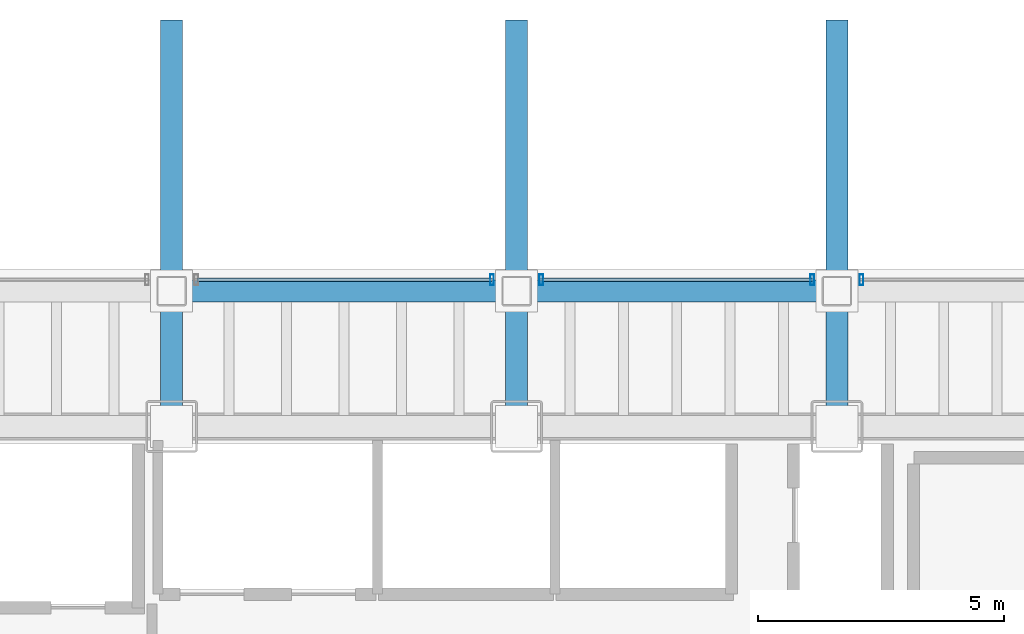
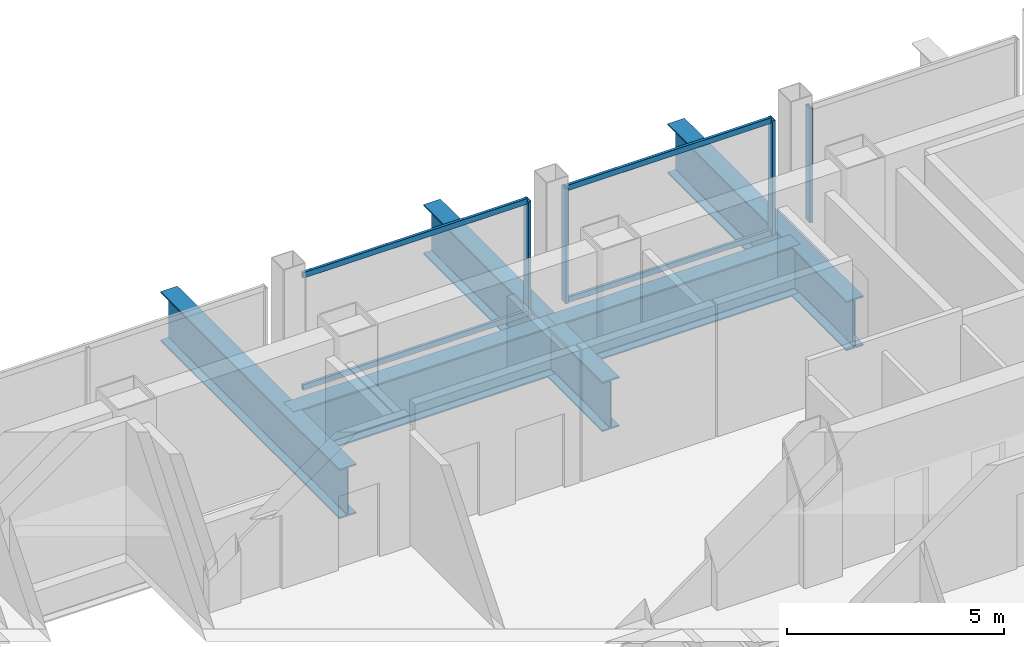
# One storey, part 15 of 21: 8 members, 5 beams, 3 elements without a shape of their own.
"""IFC4 building model written with IfcOpenShell, lengths in metres."""

from ifc_helpers import new_model, si_unit, direction, frame, origin, origin_2d, place, context, subcontext, project, spatial, hollow_rectangle, i_section, extrude, material, material_profile, profile_set, type_object, element, aggregate, save


model = new_model("IFC4")

# Units and contexts
model_context = context("Model", 3, precision=1e-05, world=origin(), true_north=direction((0.0, 1.0)))
body_context = subcontext(model_context, "Body", "Model", "MODEL_VIEW")
ifc_project = project(units=[si_unit("LENGTHUNIT", "METRE"), si_unit("AREAUNIT", "SQUARE_METRE"), si_unit("VOLUMEUNIT", "CUBIC_METRE"), si_unit("PLANEANGLEUNIT", "RADIAN"), si_unit("MASSUNIT", "GRAM", prefix="KILO")], contexts=[model_context])

# Site, building, storey
site_placement = place(None, origin())
site = spatial("IfcSite", under=ifc_project, at=site_placement, CompositionType="ELEMENT")
building_placement = place(site_placement, origin())
building = spatial("IfcBuilding", under=site, at=building_placement, Name="Noeulbin Bourse Tower", CompositionType="ELEMENT")
storey_placement = place(building_placement, frame((0.0, 0.0, 81.10009765625)))
storey = spatial("IfcBuildingStorey", under=building, at=storey_placement, Name="L20", CompositionType="ELEMENT", Elevation=81.10009765625)

# Beams
ifc_material_1 = material(Name="Steel S460", Category="steel")
ifc_material_profile_1 = material_profile(ifc_material_1, i_section(OverallWidth=0.449951171875, OverallDepth=1.39990234375, WebThickness=0.02392578125, FlangeThickness=0.0400390625, FilletRadius=0.02392578125, at=origin_2d()), Name="PG-1400x450x24x40", Category="LoadBearing")
ifc_profile_set_1 = profile_set([ifc_material_profile_1], Name="Steel S460")
beam_type = type_object("IfcBeamType", Name="BM-TRF-1400", PredefinedType="USERDEFINED", material=ifc_profile_set_1)
for number, where, z_axis, x_axis, name in (
    (1, (24.0, 38.300048828125, -0.940185546875), (0.0, 1.0, 0.0), (-1.0, 0.0, 0.0), "Tower Primary Girder NS L20-2.6"),
    (2, (31.0, 38.300048828125, -0.940185546875), (0.0, 1.0, 0.0), (-1.0, 0.0, 0.0), "Tower Primary Girder NS L20-3.6"),
    (3, (37.5, 38.300048828125, -0.940185546875), (0.0, 1.0, 0.0), (-1.0, 0.0, 0.0), "Tower Primary Girder NS L20-4.6"),
):
    element("IfcBeam", number, at=place(storey_placement, frame(where, z_axis=z_axis, x_axis=x_axis)), inside=storey, type_object=beam_type, Name=name, ObjectType="GIRDER", PredefinedType="USERDEFINED", context=body_context, shape_type="SweptSolid", body=[
        extrude(i_section(OverallWidth=0.449951171875, OverallDepth=1.39990234375, WebThickness=0.02392578125, FlangeThickness=0.0400390625, FilletRadius=0.02392578125, at=origin_2d()), origin(), (0.0, 0.0, 1.0), 8.25),
    ])
beam_1_placement = place(storey_placement, frame((24.0, 41.050048828125, -0.940185546875), z_axis=(1.0, 0.0, 0.0), x_axis=(0.0, 1.0, 0.0)))
element("IfcBeam", 4, at=beam_1_placement, inside=storey, type_object=beam_type, Name="North Spandrel L20-2", ObjectType="GIRDER", PredefinedType="USERDEFINED", context=body_context, shape_type="SweptSolid", body=[
    extrude(i_section(OverallWidth=0.449951171875, OverallDepth=1.39990234375, WebThickness=0.02392578125, FlangeThickness=0.0400390625, FilletRadius=0.02392578125, at=origin_2d()), origin(), (0.0, 0.0, 1.0), 7.0),
])
beam_2_placement = place(storey_placement, frame((31.0, 41.050048828125, -0.940185546875), z_axis=(1.0, 0.0, 0.0), x_axis=(0.0, 1.0, 0.0)))
element("IfcBeam", 5, at=beam_2_placement, inside=storey, type_object=beam_type, Name="North Spandrel L20-3", ObjectType="GIRDER", PredefinedType="USERDEFINED", context=body_context, shape_type="SweptSolid", body=[
    extrude(i_section(OverallWidth=0.449951171875, OverallDepth=1.39990234375, WebThickness=0.02392578125, FlangeThickness=0.0400390625, FilletRadius=0.02392578125, at=origin_2d()), origin(), (0.0, 0.0, 1.0), 6.5),
])

# Curtain wall, member
ifc_material_2 = material(Name="Dark Solar-Control Double Glazing", Category="glass")
curtain_wall_type = type_object("IfcCurtainWallType", Name="CW-SYS-2", PredefinedType="NOTDEFINED", material=ifc_material_2)
curtain_wall_1_placement = place(storey_placement, origin())
curtain_wall_1 = element("IfcCurtainWall", 6, at=curtain_wall_1_placement, inside=storey, type_object=curtain_wall_type, Name="Unitised Curtain Wall CW-L20-N-S3", PredefinedType="NOTDEFINED")
ifc_material_3 = material(Name="Anodised Aluminium 6063-T6", Category="aluminium")
ifc_material_profile_2 = material_profile(ifc_material_3, hollow_rectangle(XDim=0.074951171875, YDim=0.219970703125, WallThickness=0.0048828125, InnerFilletRadius=0.00244140625, OuterFilletRadius=0.0048828125, at=origin_2d()), Name="ALU-MULL-75x220x5", Category="LoadBearing")
ifc_profile_set_2 = profile_set([ifc_material_profile_2], Name="Anodised Aluminium 6063-T6")
member_type_1 = type_object("IfcMemberType", Name="CW-SYS-2-MUL", PredefinedType="MULLION", material=ifc_profile_set_2)
member_1_placement = place(storey_placement, frame((30.5, 41.280029296875, -0.02001953125), z_axis=(0.0, 0.0, 1.0), x_axis=(1.0, 0.0, 0.0)))
member_1 = element("IfcMember", 7, at=member_1_placement, type_object=member_type_1, Name="Curtain Wall Mullion CW-L20-N-S3-M01", PredefinedType="MULLION", context=body_context, shape_type="SweptSolid", body=[
    extrude(hollow_rectangle(XDim=0.074951171875, YDim=0.219970703125, WallThickness=0.0048828125, InnerFilletRadius=0.00244140625, OuterFilletRadius=0.0048828125, at=origin_2d()), origin(), (0.0, 0.0, 1.0), 3.219970703125),
])

# Curtain wall, members
curtain_wall_2_placement = place(storey_placement, origin())
curtain_wall_2 = element("IfcCurtainWall", 8, at=curtain_wall_2_placement, inside=storey, type_object=curtain_wall_type, Name="Unitised Curtain Wall CW-L20-N-S4", PredefinedType="NOTDEFINED")
member_2_placement = place(storey_placement, frame((31.5, 41.280029296875, -0.02001953125), z_axis=(0.0, 0.0, 1.0), x_axis=(1.0, 0.0, 0.0)))
member_2 = element("IfcMember", 9, at=member_2_placement, type_object=member_type_1, Name="Curtain Wall Mullion CW-L20-N-S4-M00", PredefinedType="MULLION", context=body_context, shape_type="SweptSolid", body=[
    extrude(hollow_rectangle(XDim=0.074951171875, YDim=0.219970703125, WallThickness=0.0048828125, InnerFilletRadius=0.00244140625, OuterFilletRadius=0.0048828125, at=origin_2d()), origin(), (0.0, 0.0, 1.0), 3.219970703125),
])
member_3_placement = place(storey_placement, frame((37.0, 41.280029296875, -0.02001953125), z_axis=(0.0, 0.0, 1.0), x_axis=(1.0, 0.0, 0.0)))
member_3 = element("IfcMember", 10, at=member_3_placement, type_object=member_type_1, Name="Curtain Wall Mullion CW-L20-N-S4-M01", PredefinedType="MULLION", context=body_context, shape_type="SweptSolid", body=[
    extrude(hollow_rectangle(XDim=0.074951171875, YDim=0.219970703125, WallThickness=0.0048828125, InnerFilletRadius=0.00244140625, OuterFilletRadius=0.0048828125, at=origin_2d()), origin(), (0.0, 0.0, 1.0), 3.219970703125),
])

# Curtain wall, member
curtain_wall_3_placement = place(storey_placement, origin())
curtain_wall_3 = element("IfcCurtainWall", 11, at=curtain_wall_3_placement, inside=storey, type_object=curtain_wall_type, Name="Unitised Curtain Wall CW-L20-N-S5", PredefinedType="NOTDEFINED")
member_4_placement = place(storey_placement, frame((38.0, 41.280029296875, -0.02001953125), z_axis=(0.0, 0.0, 1.0), x_axis=(1.0, 0.0, 0.0)))
member_4 = element("IfcMember", 12, at=member_4_placement, type_object=member_type_1, Name="Curtain Wall Mullion CW-L20-N-S5-M00", PredefinedType="MULLION", context=body_context, shape_type="SweptSolid", body=[
    extrude(hollow_rectangle(XDim=0.074951171875, YDim=0.219970703125, WallThickness=0.0048828125, InnerFilletRadius=0.00244140625, OuterFilletRadius=0.0048828125, at=origin_2d()), origin(), (0.0, 0.0, 1.0), 3.219970703125),
])
aggregate(curtain_wall_3, [member_4])

# Member
ifc_material_profile_3 = material_profile(ifc_material_3, hollow_rectangle(XDim=0.074951171875, YDim=0.159912109375, WallThickness=0.0048828125, InnerFilletRadius=0.00244140625, OuterFilletRadius=0.0048828125, at=origin_2d()), Name="ALU-TRAN-75x160x5", Category="LoadBearing")
ifc_profile_set_3 = profile_set([ifc_material_profile_3], Name="Anodised Aluminium 6063-T6")
member_type_2 = type_object("IfcMemberType", Name="CW-SYS-2-TRN", PredefinedType="USERDEFINED", material=ifc_profile_set_3)
member_5_placement = place(storey_placement, frame((24.510009765625, 41.280029296875, 0.010009765625), z_axis=(1.0, 0.0, 0.0), x_axis=(0.0, 1.0, 0.0)))
member_5 = element("IfcMember", 13, at=member_5_placement, type_object=member_type_2, Name="Curtain Wall Transom CW-L20-N-S3-T00", ObjectType="TRANSOM", PredefinedType="USERDEFINED", context=body_context, shape_type="SweptSolid", body=[
    extrude(hollow_rectangle(XDim=0.074951171875, YDim=0.159912109375, WallThickness=0.0048828125, InnerFilletRadius=0.00244140625, OuterFilletRadius=0.0048828125, at=origin_2d()), origin(), (0.0, 0.0, 1.0), 5.97998046875),
])

member_6_placement = place(storey_placement, frame((24.510009765625, 41.280029296875, 3.169921875), z_axis=(1.0, 0.0, 0.0), x_axis=(0.0, 1.0, 0.0)))
member_6 = element("IfcMember", 14, at=member_6_placement, type_object=member_type_2, Name="Curtain Wall Transom CW-L20-N-S3-T01", ObjectType="TRANSOM", PredefinedType="USERDEFINED", context=body_context, shape_type="SweptSolid", body=[
    extrude(hollow_rectangle(XDim=0.074951171875, YDim=0.159912109375, WallThickness=0.0048828125, InnerFilletRadius=0.00244140625, OuterFilletRadius=0.0048828125, at=origin_2d()), origin(), (0.0, 0.0, 1.0), 5.97998046875),
])

aggregate(curtain_wall_1, [member_1, member_5, member_6])

member_7_placement = place(storey_placement, frame((31.510009765625, 41.280029296875, 0.010009765625), z_axis=(1.0, 0.0, 0.0), x_axis=(0.0, 1.0, 0.0)))
member_7 = element("IfcMember", 15, at=member_7_placement, type_object=member_type_2, Name="Curtain Wall Transom CW-L20-N-S4-T00", ObjectType="TRANSOM", PredefinedType="USERDEFINED", context=body_context, shape_type="SweptSolid", body=[
    extrude(hollow_rectangle(XDim=0.074951171875, YDim=0.159912109375, WallThickness=0.0048828125, InnerFilletRadius=0.00244140625, OuterFilletRadius=0.0048828125, at=origin_2d()), origin(), (0.0, 0.0, 1.0), 5.47998046875),
])

member_8_placement = place(storey_placement, frame((31.510009765625, 41.280029296875, 3.169921875), z_axis=(1.0, 0.0, 0.0), x_axis=(0.0, 1.0, 0.0)))
member_8 = element("IfcMember", 16, at=member_8_placement, type_object=member_type_2, Name="Curtain Wall Transom CW-L20-N-S4-T01", ObjectType="TRANSOM", PredefinedType="USERDEFINED", context=body_context, shape_type="SweptSolid", body=[
    extrude(hollow_rectangle(XDim=0.074951171875, YDim=0.159912109375, WallThickness=0.0048828125, InnerFilletRadius=0.00244140625, OuterFilletRadius=0.0048828125, at=origin_2d()), origin(), (0.0, 0.0, 1.0), 5.47998046875),
])

aggregate(curtain_wall_2, [member_2, member_3, member_7, member_8])

save(model, "model.ifc")
